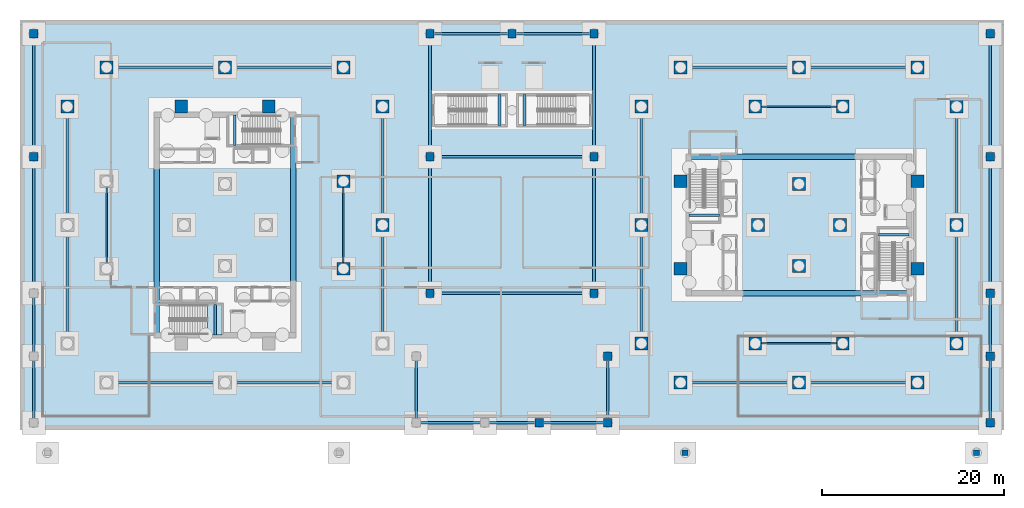
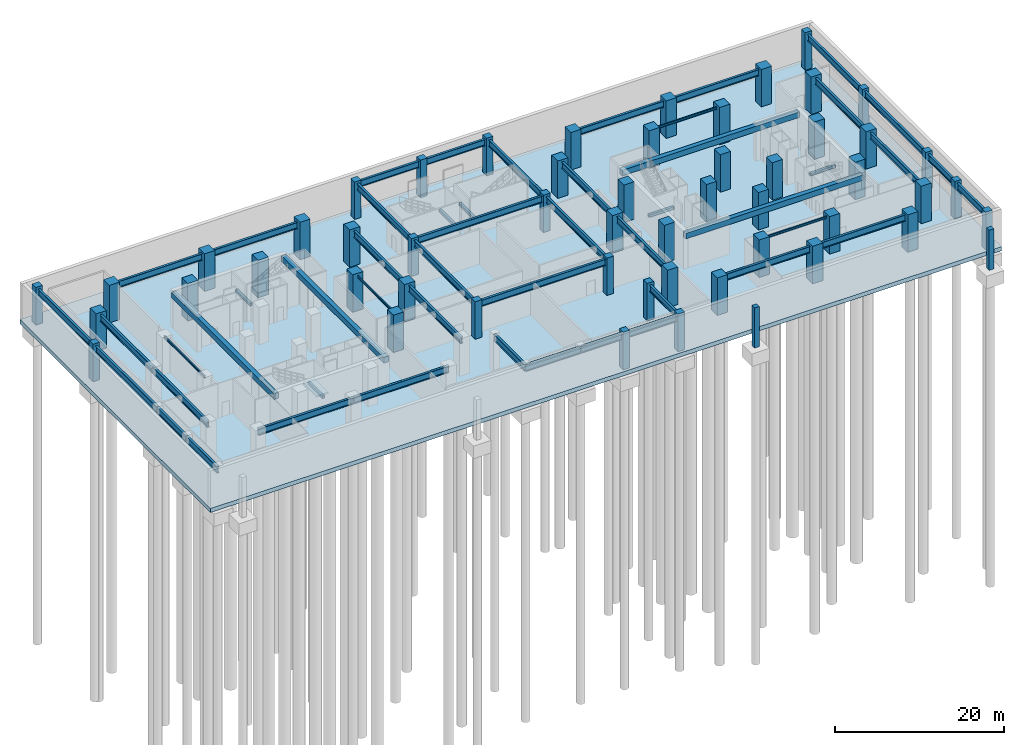
# One storey, part 2 of 14: 53 columns, 51 beams, 2 slabs, 1 element without a shape of its own.
"""IFC4 building model written with IfcOpenShell, lengths in metres."""

from ifc_helpers import new_model, si_unit, direction, frame, origin, origin_2d, place, context, subcontext, project, spatial, polyline, rectangle, i_section, outline, extrude, material, layer, layer_set, material_profile, profile_set, type_object, element, aggregate, save


model = new_model("IFC4")

# Units and contexts
model_context = context("Model", 3, precision=1e-05, world=origin(), true_north=direction((0.0, 1.0)))
body_context = subcontext(model_context, "Body", "Model", "MODEL_VIEW")
ifc_project = project(units=[si_unit("LENGTHUNIT", "METRE"), si_unit("AREAUNIT", "SQUARE_METRE"), si_unit("VOLUMEUNIT", "CUBIC_METRE"), si_unit("PLANEANGLEUNIT", "RADIAN"), si_unit("MASSUNIT", "GRAM", prefix="KILO")], contexts=[model_context])

# Site, building, storey
site_placement = place(None, origin())
site = spatial("IfcSite", under=ifc_project, at=site_placement, CompositionType="ELEMENT")
building_placement = place(site_placement, origin())
building = spatial("IfcBuilding", under=site, at=building_placement, Name="Thornwick Lancets Civic Towers", CompositionType="ELEMENT")
storey_placement = place(building_placement, frame((0.0, 0.0, -5.39990234375)))
storey = spatial("IfcBuildingStorey", under=building, at=storey_placement, Name="B01", CompositionType="ELEMENT", Elevation=-5.39990234375)

# Columns
ifc_material_1 = material(Name="Concrete C60/75", Category="concrete")
ifc_material_profile_1 = material_profile(ifc_material_1, rectangle(XDim=1.39990234375, YDim=1.39990234375, at=origin_2d()), Name="RC 1400x1400")
ifc_profile_set_1 = profile_set([ifc_material_profile_1], Name="Concrete C60/75")
column_type_1 = type_object("IfcColumnType", Name="COL_RC_1400", PredefinedType="COLUMN", material=ifc_profile_set_1)
for number, where, z_axis, x_axis, name in (
    (1, (42.800048828125, 27.0, -0.60009765625), (0.0, 0.0, 1.0), (1.0, 0.0, 0.0), "B01 Spine Mega-Column A05"),
    (2, (42.800048828125, 40.0, -0.60009765625), (0.0, 0.0, 1.0), (1.0, 0.0, 0.0), "B01 Spine Mega-Column A06"),
    (3, (12.5, 44.300048828125, -0.60009765625), (0.0, 0.0, 1.0), (1.0, 0.0, 0.0), "B01 Spine Mega-Column A07"),
    (4, (25.5, 44.300048828125, -0.60009765625), (0.0, 0.0, 1.0), (1.0, 0.0, 0.0), "B01 Spine Mega-Column A08"),
    (5, (38.5, 44.300048828125, -0.60009765625), (0.0, 0.0, 1.0), (1.0, 0.0, 0.0), "B01 Spine Mega-Column A09"),
    (6, (8.199951171875, 40.0, -0.60009765625), (0.0, 0.0, 1.0), (1.0, 0.0, 0.0), "B01 Spine Mega-Column A12"),
    (7, (38.5, 22.199951171875, -0.60009765625), (0.0, 0.0, 1.0), (1.0, 0.0, 0.0), "B01 Spine Mega-Column A14"),
    (8, (38.5, 31.800048828125, -0.60009765625), (0.0, 0.0, 1.0), (1.0, 0.0, 0.0), "B01 Spine Mega-Column A16"),
    (9, (20.699951171875, 40.0, -0.60009765625), (0.0, 0.0, 1.0), (1.0, 0.0, 0.0), "B01 Spine Mega-Column A19"),
    (10, (30.300048828125, 40.0, -0.60009765625), (0.0, 0.0, 1.0), (1.0, 0.0, 0.0), "B01 Spine Mega-Column A20"),
    (11, (105.800048828125, 14.0, -0.60009765625), (0.0, 0.0, 1.0), (1.0, 0.0, 0.0), "B01 Spine Mega-Column B01"),
    (12, (105.800048828125, 27.0, -0.60009765625), (0.0, 0.0, 1.0), (1.0, 0.0, 0.0), "B01 Spine Mega-Column B02"),
    (13, (105.800048828125, 40.0, -0.60009765625), (0.0, 0.0, 1.0), (1.0, 0.0, 0.0), "B01 Spine Mega-Column B03"),
    (14, (101.5, 44.300048828125, -0.60009765625), (0.0, 0.0, 1.0), (1.0, 0.0, 0.0), "B01 Spine Mega-Column B04"),
    (15, (88.5, 44.300048828125, -0.60009765625), (0.0, 0.0, 1.0), (1.0, 0.0, 0.0), "B01 Spine Mega-Column B05"),
    (16, (75.5, 44.300048828125, -0.60009765625), (0.0, 0.0, 1.0), (1.0, 0.0, 0.0), "B01 Spine Mega-Column B06"),
    (17, (71.199951171875, 14.0, -0.60009765625), (0.0, 0.0, 1.0), (1.0, 0.0, 0.0), "B01 Spine Mega-Column B07"),
    (18, (71.199951171875, 27.0, -0.60009765625), (0.0, 0.0, 1.0), (1.0, 0.0, 0.0), "B01 Spine Mega-Column B08"),
    (19, (71.199951171875, 40.0, -0.60009765625), (0.0, 0.0, 1.0), (1.0, 0.0, 0.0), "B01 Spine Mega-Column B09"),
    (20, (101.5, 9.699951171875, -0.60009765625), (0.0, 0.0, 1.0), (1.0, 0.0, 0.0), "B01 Spine Mega-Column B10"),
    (21, (88.5, 9.699951171875, -0.60009765625), (0.0, 0.0, 1.0), (1.0, 0.0, 0.0), "B01 Spine Mega-Column B11"),
    (22, (75.5, 9.699951171875, -0.60009765625), (0.0, 0.0, 1.0), (1.0, 0.0, 0.0), "B01 Spine Mega-Column B12"),
    (23, (93.300048828125, 14.0, -0.60009765625), (0.0, 0.0, 1.0), (1.0, 0.0, 0.0), "B01 Spine Mega-Column B13"),
    (24, (93.300048828125, 40.0, -0.60009765625), (0.0, 0.0, 1.0), (1.0, 0.0, 0.0), "B01 Spine Mega-Column B14"),
    (25, (83.699951171875, 14.0, -0.60009765625), (0.0, 0.0, 1.0), (1.0, 0.0, 0.0), "B01 Spine Mega-Column B15"),
    (26, (83.699951171875, 40.0, -0.60009765625), (0.0, 0.0, 1.0), (1.0, 0.0, 0.0), "B01 Spine Mega-Column B16"),
    (27, (101.5, 22.199951171875, -0.60009765625), (0.0, 0.0, 1.0), (1.0, 0.0, 0.0), "B01 Spine Mega-Column B17"),
    (28, (101.5, 31.800048828125, -0.60009765625), (0.0, 0.0, 1.0), (1.0, 0.0, 0.0), "B01 Spine Mega-Column B18"),
    (29, (75.5, 22.199951171875, -0.60009765625), (0.0, 0.0, 1.0), (1.0, 0.0, 0.0), "B01 Spine Mega-Column B19"),
    (30, (75.5, 31.800048828125, -0.60009765625), (0.0, 0.0, 1.0), (1.0, 0.0, 0.0), "B01 Spine Mega-Column B20"),
    (31, (93.0, 27.0, -0.60009765625), (0.0, 0.0, 1.0), (1.0, 0.0, 0.0), "B01 Spine Mega-Column B21"),
    (32, (84.0, 27.0, -0.60009765625), (0.0, 0.0, 1.0), (1.0, 0.0, 0.0), "B01 Spine Mega-Column B22"),
    (33, (88.5, 22.5, -0.60009765625), (0.0, 0.0, 1.0), (1.0, 0.0, 0.0), "B01 Spine Mega-Column B23"),
    (34, (88.5, 31.5, -0.60009765625), (0.0, 0.0, 1.0), (1.0, 0.0, 0.0), "B01 Spine Mega-Column B24"),
):
    element("IfcColumn", number, at=place(storey_placement, frame(where, z_axis=z_axis, x_axis=x_axis)), inside=storey, type_object=column_type_1, Name=name, PredefinedType="COLUMN", context=body_context, shape_type="SweptSolid", body=[
        extrude(rectangle(XDim=1.39990234375, YDim=1.39990234375, at=origin_2d()), origin(), (0.0, 0.0, 1.0), 6.0),
    ])
ifc_material_2 = material(Name="Concrete C40/50", Category="concrete")
ifc_material_profile_2 = material_profile(ifc_material_2, rectangle(XDim=0.64990234375, YDim=0.64990234375, at=origin_2d()), Name="RC 650x650")
ifc_profile_set_2 = profile_set([ifc_material_profile_2], Name="Concrete C40/50")
column_type_2 = type_object("IfcColumnType", Name="COL_RC_650", PredefinedType="COLUMN", material=ifc_profile_set_2)
for number, where, z_axis, x_axis, name in (
    (35, (76.0, 2.0, -0.60009765625), (0.0, 0.0, 1.0), (1.0, 0.0, 0.0), "B01 Plaza Grade Support Pier 03"),
    (36, (108.0, 2.0, -0.60009765625), (0.0, 0.0, 1.0), (1.0, 0.0, 0.0), "B01 Plaza Grade Support Pier 04"),
):
    element("IfcColumn", number, at=place(storey_placement, frame(where, z_axis=z_axis, x_axis=x_axis)), inside=storey, type_object=column_type_2, Name=name, PredefinedType="COLUMN", context=body_context, shape_type="SweptSolid", body=[
        extrude(rectangle(XDim=0.64990234375, YDim=0.64990234375, at=origin_2d()), origin(), (0.0, 0.0, 1.0), 5.800048828125),
    ])
ifc_material_3 = material(Name="Concrete C50/60", Category="concrete")
ifc_material_profile_3 = material_profile(ifc_material_3, rectangle(XDim=0.89990234375, YDim=0.89990234375, at=origin_2d()), Name="RC 900x900")
ifc_profile_set_3 = profile_set([ifc_material_profile_3], Name="Concrete C50/60")
column_type_3 = type_object("IfcColumnType", Name="COL_RC_900", PredefinedType="COLUMN", material=ifc_profile_set_3)
for number, where, z_axis, x_axis, name in (
    (37, (60.0, 5.300048828125, -0.60009765625), (0.0, 0.0, 1.0), (1.0, 0.0, 0.0), "B01 Podium Column P04"),
    (38, (67.5, 5.300048828125, -0.60009765625), (0.0, 0.0, 1.0), (1.0, 0.0, 0.0), "B01 Podium Column P05"),
    (39, (109.5, 5.300048828125, -0.60009765625), (0.0, 0.0, 1.0), (1.0, 0.0, 0.0), "B01 Podium Column P06"),
    (40, (67.5, 12.60009765625, -0.60009765625), (0.0, 0.0, 1.0), (1.0, 0.0, 0.0), "B01 Podium Column P09"),
    (41, (109.5, 12.60009765625, -0.60009765625), (0.0, 0.0, 1.0), (1.0, 0.0, 0.0), "B01 Podium Column P10"),
    (42, (4.5, 34.5, -0.60009765625), (0.0, 0.0, 1.0), (1.0, 0.0, 0.0), "B01 Podium Column P12"),
    (43, (4.5, 48.0, -0.60009765625), (0.0, 0.0, 1.0), (1.0, 0.0, 0.0), "B01 Podium Column P13"),
    (44, (48.0, 19.5, -0.60009765625), (0.0, 0.0, 1.0), (1.0, 0.0, 0.0), "B01 Podium Column P14"),
    (45, (66.0, 19.5, -0.60009765625), (0.0, 0.0, 1.0), (1.0, 0.0, 0.0), "B01 Podium Column P15"),
    (46, (48.0, 34.5, -0.60009765625), (0.0, 0.0, 1.0), (1.0, 0.0, 0.0), "B01 Podium Column P16"),
    (47, (66.0, 34.5, -0.60009765625), (0.0, 0.0, 1.0), (1.0, 0.0, 0.0), "B01 Podium Column P17"),
    (48, (48.0, 48.0, -0.60009765625), (0.0, 0.0, 1.0), (1.0, 0.0, 0.0), "B01 Podium Column P18"),
    (49, (57.0, 48.0, -0.60009765625), (0.0, 0.0, 1.0), (1.0, 0.0, 0.0), "B01 Podium Column P19"),
    (50, (66.0, 48.0, -0.60009765625), (0.0, 0.0, 1.0), (1.0, 0.0, 0.0), "B01 Podium Column P20"),
    (51, (109.5, 19.5, -0.60009765625), (0.0, 0.0, 1.0), (1.0, 0.0, 0.0), "B01 Podium Column P21"),
    (52, (109.5, 34.5, -0.60009765625), (0.0, 0.0, 1.0), (1.0, 0.0, 0.0), "B01 Podium Column P22"),
    (53, (109.5, 48.0, -0.60009765625), (0.0, 0.0, 1.0), (1.0, 0.0, 0.0), "B01 Podium Column P23"),
):
    element("IfcColumn", number, at=place(storey_placement, frame(where, z_axis=z_axis, x_axis=x_axis)), inside=storey, type_object=column_type_3, Name=name, PredefinedType="COLUMN", context=body_context, shape_type="SweptSolid", body=[
        extrude(rectangle(XDim=0.89990234375, YDim=0.89990234375, at=origin_2d()), origin(), (0.0, 0.0, 1.0), 6.0),
    ])

# Beams
ifc_material_profile_4 = material_profile(ifc_material_1, rectangle(XDim=0.60009765625, YDim=0.800048828125, at=origin_2d()), Name="RC 600x800")
ifc_profile_set_4 = profile_set([ifc_material_profile_4], Name="Concrete C60/75")
beam_type_1 = type_object("IfcBeamType", Name="BM_COUP_RC800", PredefinedType="BEAM", material=ifc_profile_set_4)
for number, where, z_axis, x_axis, name in (
    (54, (33.0, 14.89990234375, 4.679931640625), (0.0, 1.0, 0.0), (-1.0, 0.0, 0.0), "CB-B01-A1"),
    (55, (18.0, 14.89990234375, 4.679931640625), (0.0, 1.0, 0.0), (-1.0, 0.0, 0.0), "CB-B01-A2"),
    (56, (76.39990234375, 34.5, 4.679931640625), (1.0, 0.0, 0.0), (0.0, 1.0, 0.0), "CB-B01-B1"),
    (57, (76.39990234375, 19.5, 4.679931640625), (1.0, 0.0, 0.0), (0.0, 1.0, 0.0), "CB-B01-B2"),
):
    element("IfcBeam", number, at=place(storey_placement, frame(where, z_axis=z_axis, x_axis=x_axis)), inside=storey, type_object=beam_type_1, Name=name, PredefinedType="BEAM", context=body_context, shape_type="SweptSolid", body=[
        extrude(rectangle(XDim=0.60009765625, YDim=0.800048828125, at=origin_2d()), origin(), (0.0, 0.0, 1.0), 24.2001953125),
    ])
ifc_material_4 = material(Name="Steel S355JR", Category="steel")
ifc_material_profile_5 = material_profile(ifc_material_4, i_section(OverallWidth=0.1669921875, OverallDepth=0.310302734375, WebThickness=0.0078125, FlangeThickness=0.013671875, FilletRadius=0.0087890625, at=origin_2d()), Name="UKB 305x165x54")
ifc_profile_set_5 = profile_set([ifc_material_profile_5], Name="Steel S355JR")
beam_type_2 = type_object("IfcBeamType", Name="BM_LINTEL_305_54", PredefinedType="LINTEL", material=ifc_profile_set_5)
for number, where, z_axis, x_axis, name in (
    (58, (12.5, 22.199951171875, 4.9248046875), (0.0, 1.0, 0.0), (-1.0, 0.0, 0.0), "BM-INSP-B01-A-0-2"),
    (59, (38.5, 22.199951171875, 4.9248046875), (0.0, 1.0, 0.0), (-1.0, 0.0, 0.0), "BM-INSP-B01-A-1-3"),
    (60, (93.300048828125, 14.0, 4.9248046875), (-1.0, 0.0, 0.0), (0.0, -1.0, 0.0), "BM-INSP-B01-B-0-2"),
    (61, (93.300048828125, 40.0, 4.9248046875), (-1.0, 0.0, 0.0), (0.0, -1.0, 0.0), "BM-INSP-B01-B-1-3"),
):
    element("IfcBeam", number, at=place(storey_placement, frame(where, z_axis=z_axis, x_axis=x_axis)), inside=storey, type_object=beam_type_2, Name=name, PredefinedType="LINTEL", context=body_context, shape_type="SweptSolid", body=[
        extrude(i_section(OverallWidth=0.1669921875, OverallDepth=0.310302734375, WebThickness=0.0078125, FlangeThickness=0.013671875, FilletRadius=0.0087890625, at=origin_2d()), origin(), (0.0, 0.0, 1.0), 9.60009765625),
    ])
ifc_material_profile_6 = material_profile(ifc_material_4, i_section(OverallWidth=0.3076171875, OverallDepth=0.926513671875, WebThickness=0.01953125, FlangeThickness=0.031982421875, FilletRadius=0.01904296875, at=origin_2d()), Name="UKB 914x305x289")
ifc_profile_set_6 = profile_set([ifc_material_profile_6], Name="Steel S355JR")
beam_type_3 = type_object("IfcBeamType", Name="BM_POD_914_289", PredefinedType="BEAM", material=ifc_profile_set_6)
beam_1_placement = place(storey_placement, frame((12.5, 9.699951171875, 4.61669921875), z_axis=(1.0, 0.0, 0.0), x_axis=(0.0, 1.0, 0.0)))
element("IfcBeam", 62, at=beam_1_placement, inside=storey, type_object=beam_type_3, Name="BM-SPINE-B01-A-0-1", PredefinedType="BEAM", context=body_context, shape_type="SweptSolid", body=[
    extrude(i_section(OverallWidth=0.3076171875, OverallDepth=0.926513671875, WebThickness=0.01953125, FlangeThickness=0.031982421875, FilletRadius=0.01904296875, at=origin_2d()), origin(), (0.0, 0.0, 1.0), 13.0),
])
beam_2_placement = place(storey_placement, frame((25.580078125, 9.699951171875, 4.61669921875), z_axis=(1.0, 0.0, 0.0), x_axis=(0.0, 1.0, 0.0)))
element("IfcBeam", 63, at=beam_2_placement, inside=storey, type_object=beam_type_3, Name="BM-SPINE-B01-A-1-2", PredefinedType="BEAM", context=body_context, shape_type="SweptSolid", body=[
    extrude(i_section(OverallWidth=0.3076171875, OverallDepth=0.926513671875, WebThickness=0.01953125, FlangeThickness=0.031982421875, FilletRadius=0.01904296875, at=origin_2d()), origin(), (0.0, 0.0, 1.0), 12.919921875),
])
beam_3_placement = place(storey_placement, frame((42.800048828125, 14.0, 4.61669921875), z_axis=(0.0, 1.0, 0.0), x_axis=(-1.0, 0.0, 0.0)))
element("IfcBeam", 64, at=beam_3_placement, inside=storey, type_object=beam_type_3, Name="BM-SPINE-B01-A-3-4", PredefinedType="BEAM", context=body_context, shape_type="SweptSolid", body=[
    extrude(i_section(OverallWidth=0.3076171875, OverallDepth=0.926513671875, WebThickness=0.01953125, FlangeThickness=0.031982421875, FilletRadius=0.01904296875, at=origin_2d()), origin(), (0.0, 0.0, 1.0), 13.0),
])
beam_4_placement = place(storey_placement, frame((42.800048828125, 27.080078125, 4.61669921875), z_axis=(0.0, 1.0, 0.0), x_axis=(-1.0, 0.0, 0.0)))
element("IfcBeam", 65, at=beam_4_placement, inside=storey, type_object=beam_type_3, Name="BM-SPINE-B01-A-4-5", PredefinedType="BEAM", context=body_context, shape_type="SweptSolid", body=[
    extrude(i_section(OverallWidth=0.3076171875, OverallDepth=0.926513671875, WebThickness=0.01953125, FlangeThickness=0.031982421875, FilletRadius=0.01904296875, at=origin_2d()), origin(), (0.0, 0.0, 1.0), 12.919921875),
])
beam_5_placement = place(storey_placement, frame((12.5, 44.300048828125, 4.61669921875), z_axis=(1.0, 0.0, 0.0), x_axis=(0.0, 1.0, 0.0)))
element("IfcBeam", 66, at=beam_5_placement, inside=storey, type_object=beam_type_3, Name="BM-SPINE-B01-A-6-7", PredefinedType="BEAM", context=body_context, shape_type="SweptSolid", body=[
    extrude(i_section(OverallWidth=0.3076171875, OverallDepth=0.926513671875, WebThickness=0.01953125, FlangeThickness=0.031982421875, FilletRadius=0.01904296875, at=origin_2d()), origin(), (0.0, 0.0, 1.0), 13.0),
])
beam_6_placement = place(storey_placement, frame((25.580078125, 44.300048828125, 4.61669921875), z_axis=(1.0, 0.0, 0.0), x_axis=(0.0, 1.0, 0.0)))
element("IfcBeam", 67, at=beam_6_placement, inside=storey, type_object=beam_type_3, Name="BM-SPINE-B01-A-7-8", PredefinedType="BEAM", context=body_context, shape_type="SweptSolid", body=[
    extrude(i_section(OverallWidth=0.3076171875, OverallDepth=0.926513671875, WebThickness=0.01953125, FlangeThickness=0.031982421875, FilletRadius=0.01904296875, at=origin_2d()), origin(), (0.0, 0.0, 1.0), 12.919921875),
])
beam_7_placement = place(storey_placement, frame((8.199951171875, 14.0, 4.61669921875), z_axis=(0.0, 1.0, 0.0), x_axis=(-1.0, 0.0, 0.0)))
element("IfcBeam", 68, at=beam_7_placement, inside=storey, type_object=beam_type_3, Name="BM-SPINE-B01-A-9-10", PredefinedType="BEAM", context=body_context, shape_type="SweptSolid", body=[
    extrude(i_section(OverallWidth=0.3076171875, OverallDepth=0.926513671875, WebThickness=0.01953125, FlangeThickness=0.031982421875, FilletRadius=0.01904296875, at=origin_2d()), origin(), (0.0, 0.0, 1.0), 13.0),
])
beam_8_placement = place(storey_placement, frame((8.199951171875, 27.080078125, 4.61669921875), z_axis=(0.0, 1.0, 0.0), x_axis=(-1.0, 0.0, 0.0)))
element("IfcBeam", 69, at=beam_8_placement, inside=storey, type_object=beam_type_3, Name="BM-SPINE-B01-A-10-11", PredefinedType="BEAM", context=body_context, shape_type="SweptSolid", body=[
    extrude(i_section(OverallWidth=0.3076171875, OverallDepth=0.926513671875, WebThickness=0.01953125, FlangeThickness=0.031982421875, FilletRadius=0.01904296875, at=origin_2d()), origin(), (0.0, 0.0, 1.0), 12.919921875),
])
beam_9_placement = place(storey_placement, frame((105.800048828125, 14.0, 4.61669921875), z_axis=(0.0, 1.0, 0.0), x_axis=(-1.0, 0.0, 0.0)))
element("IfcBeam", 70, at=beam_9_placement, inside=storey, type_object=beam_type_3, Name="BM-SPINE-B01-B-0-1", PredefinedType="BEAM", context=body_context, shape_type="SweptSolid", body=[
    extrude(i_section(OverallWidth=0.3076171875, OverallDepth=0.926513671875, WebThickness=0.01953125, FlangeThickness=0.031982421875, FilletRadius=0.01904296875, at=origin_2d()), origin(), (0.0, 0.0, 1.0), 13.0),
])
beam_10_placement = place(storey_placement, frame((105.800048828125, 27.080078125, 4.61669921875), z_axis=(0.0, 1.0, 0.0), x_axis=(-1.0, 0.0, 0.0)))
element("IfcBeam", 71, at=beam_10_placement, inside=storey, type_object=beam_type_3, Name="BM-SPINE-B01-B-1-2", PredefinedType="BEAM", context=body_context, shape_type="SweptSolid", body=[
    extrude(i_section(OverallWidth=0.3076171875, OverallDepth=0.926513671875, WebThickness=0.01953125, FlangeThickness=0.031982421875, FilletRadius=0.01904296875, at=origin_2d()), origin(), (0.0, 0.0, 1.0), 12.919921875),
])
beam_11_placement = place(storey_placement, frame((101.5, 44.300048828125, 4.61669921875), z_axis=(-1.0, 0.0, 0.0), x_axis=(0.0, -1.0, 0.0)))
element("IfcBeam", 72, at=beam_11_placement, inside=storey, type_object=beam_type_3, Name="BM-SPINE-B01-B-3-4", PredefinedType="BEAM", context=body_context, shape_type="SweptSolid", body=[
    extrude(i_section(OverallWidth=0.3076171875, OverallDepth=0.926513671875, WebThickness=0.01953125, FlangeThickness=0.031982421875, FilletRadius=0.01904296875, at=origin_2d()), origin(), (0.0, 0.0, 1.0), 13.0),
])
beam_12_placement = place(storey_placement, frame((88.419921875, 44.300048828125, 4.61669921875), z_axis=(-1.0, 0.0, 0.0), x_axis=(0.0, -1.0, 0.0)))
element("IfcBeam", 73, at=beam_12_placement, inside=storey, type_object=beam_type_3, Name="BM-SPINE-B01-B-4-5", PredefinedType="BEAM", context=body_context, shape_type="SweptSolid", body=[
    extrude(i_section(OverallWidth=0.3076171875, OverallDepth=0.926513671875, WebThickness=0.01953125, FlangeThickness=0.031982421875, FilletRadius=0.01904296875, at=origin_2d()), origin(), (0.0, 0.0, 1.0), 12.919921875),
])
beam_13_placement = place(storey_placement, frame((71.199951171875, 14.0, 4.61669921875), z_axis=(0.0, 1.0, 0.0), x_axis=(-1.0, 0.0, 0.0)))
element("IfcBeam", 74, at=beam_13_placement, inside=storey, type_object=beam_type_3, Name="BM-SPINE-B01-B-6-7", PredefinedType="BEAM", context=body_context, shape_type="SweptSolid", body=[
    extrude(i_section(OverallWidth=0.3076171875, OverallDepth=0.926513671875, WebThickness=0.01953125, FlangeThickness=0.031982421875, FilletRadius=0.01904296875, at=origin_2d()), origin(), (0.0, 0.0, 1.0), 13.0),
])
beam_14_placement = place(storey_placement, frame((71.199951171875, 27.080078125, 4.61669921875), z_axis=(0.0, 1.0, 0.0), x_axis=(-1.0, 0.0, 0.0)))
element("IfcBeam", 75, at=beam_14_placement, inside=storey, type_object=beam_type_3, Name="BM-SPINE-B01-B-7-8", PredefinedType="BEAM", context=body_context, shape_type="SweptSolid", body=[
    extrude(i_section(OverallWidth=0.3076171875, OverallDepth=0.926513671875, WebThickness=0.01953125, FlangeThickness=0.031982421875, FilletRadius=0.01904296875, at=origin_2d()), origin(), (0.0, 0.0, 1.0), 12.919921875),
])
beam_15_placement = place(storey_placement, frame((101.5, 9.699951171875, 4.61669921875), z_axis=(-1.0, 0.0, 0.0), x_axis=(0.0, -1.0, 0.0)))
element("IfcBeam", 76, at=beam_15_placement, inside=storey, type_object=beam_type_3, Name="BM-SPINE-B01-B-9-10", PredefinedType="BEAM", context=body_context, shape_type="SweptSolid", body=[
    extrude(i_section(OverallWidth=0.3076171875, OverallDepth=0.926513671875, WebThickness=0.01953125, FlangeThickness=0.031982421875, FilletRadius=0.01904296875, at=origin_2d()), origin(), (0.0, 0.0, 1.0), 13.0),
])
beam_16_placement = place(storey_placement, frame((88.419921875, 9.699951171875, 4.61669921875), z_axis=(-1.0, 0.0, 0.0), x_axis=(0.0, -1.0, 0.0)))
element("IfcBeam", 77, at=beam_16_placement, inside=storey, type_object=beam_type_3, Name="BM-SPINE-B01-B-10-11", PredefinedType="BEAM", context=body_context, shape_type="SweptSolid", body=[
    extrude(i_section(OverallWidth=0.3076171875, OverallDepth=0.926513671875, WebThickness=0.01953125, FlangeThickness=0.031982421875, FilletRadius=0.01904296875, at=origin_2d()), origin(), (0.0, 0.0, 1.0), 12.919921875),
])
beam_17_placement = place(storey_placement, frame((4.5, 5.300048828125, 4.61669921875), z_axis=(0.0, 1.0, 0.0), x_axis=(-1.0, 0.0, 0.0)))
element("IfcBeam", 78, at=beam_17_placement, inside=storey, type_object=beam_type_3, Name="BM-PODG-B01-0-6", PredefinedType="BEAM", context=body_context, shape_type="SweptSolid", body=[
    extrude(i_section(OverallWidth=0.3076171875, OverallDepth=0.926513671875, WebThickness=0.01953125, FlangeThickness=0.031982421875, FilletRadius=0.01904296875, at=origin_2d()), origin(), (0.0, 0.0, 1.0), 7.300048828125),
])
beam_18_placement = place(storey_placement, frame((46.5, 5.300048828125, 4.61669921875), z_axis=(1.0, 0.0, 0.0), x_axis=(0.0, 1.0, 0.0)))
element("IfcBeam", 79, at=beam_18_placement, inside=storey, type_object=beam_type_3, Name="BM-PODG-B01-1-2", PredefinedType="BEAM", context=body_context, shape_type="SweptSolid", body=[
    extrude(i_section(OverallWidth=0.3076171875, OverallDepth=0.926513671875, WebThickness=0.01953125, FlangeThickness=0.031982421875, FilletRadius=0.01904296875, at=origin_2d()), origin(), (0.0, 0.0, 1.0), 7.5),
])
beam_19_placement = place(storey_placement, frame((46.5, 5.300048828125, 4.61669921875), z_axis=(0.0, 1.0, 0.0), x_axis=(-1.0, 0.0, 0.0)))
element("IfcBeam", 80, at=beam_19_placement, inside=storey, type_object=beam_type_3, Name="BM-PODG-B01-1-7", PredefinedType="BEAM", context=body_context, shape_type="SweptSolid", body=[
    extrude(i_section(OverallWidth=0.3076171875, OverallDepth=0.926513671875, WebThickness=0.01953125, FlangeThickness=0.031982421875, FilletRadius=0.01904296875, at=origin_2d()), origin(), (0.0, 0.0, 1.0), 7.300048828125),
])
beam_20_placement = place(storey_placement, frame((54.080078125, 5.300048828125, 4.61669921875), z_axis=(1.0, 0.0, 0.0), x_axis=(0.0, 1.0, 0.0)))
element("IfcBeam", 81, at=beam_20_placement, inside=storey, type_object=beam_type_3, Name="BM-PODG-B01-2-3", PredefinedType="BEAM", context=body_context, shape_type="SweptSolid", body=[
    extrude(i_section(OverallWidth=0.3076171875, OverallDepth=0.926513671875, WebThickness=0.01953125, FlangeThickness=0.031982421875, FilletRadius=0.01904296875, at=origin_2d()), origin(), (0.0, 0.0, 1.0), 5.919921875),
])
beam_21_placement = place(storey_placement, frame((60.080078125, 5.300048828125, 4.61669921875), z_axis=(1.0, 0.0, 0.0), x_axis=(0.0, 1.0, 0.0)))
element("IfcBeam", 82, at=beam_21_placement, inside=storey, type_object=beam_type_3, Name="BM-PODG-B01-3-4", PredefinedType="BEAM", context=body_context, shape_type="SweptSolid", body=[
    extrude(i_section(OverallWidth=0.3076171875, OverallDepth=0.926513671875, WebThickness=0.01953125, FlangeThickness=0.031982421875, FilletRadius=0.01904296875, at=origin_2d()), origin(), (0.0, 0.0, 1.0), 7.419921875),
])
for number, where, z_axis, x_axis, name in (
    (83, (67.5, 5.300048828125, 4.61669921875), (0.0, 1.0, 0.0), (-1.0, 0.0, 0.0), "BM-PODG-B01-4-8"),
    (84, (109.5, 5.300048828125, 4.61669921875), (0.0, 1.0, 0.0), (-1.0, 0.0, 0.0), "BM-PODG-B01-5-9"),
):
    element("IfcBeam", number, at=place(storey_placement, frame(where, z_axis=z_axis, x_axis=x_axis)), inside=storey, type_object=beam_type_3, Name=name, PredefinedType="BEAM", context=body_context, shape_type="SweptSolid", body=[
        extrude(i_section(OverallWidth=0.3076171875, OverallDepth=0.926513671875, WebThickness=0.01953125, FlangeThickness=0.031982421875, FilletRadius=0.01904296875, at=origin_2d()), origin(), (0.0, 0.0, 1.0), 7.300048828125),
    ])
for number, where, z_axis, x_axis, name in (
    (85, (4.5, 12.679931640625, 4.61669921875), (0.0, 1.0, 0.0), (-1.0, 0.0, 0.0), "BM-PODG-B01-6-10"),
    (86, (109.5, 12.679931640625, 4.61669921875), (0.0, 1.0, 0.0), (-1.0, 0.0, 0.0), "BM-PODG-B01-9-20"),
):
    element("IfcBeam", number, at=place(storey_placement, frame(where, z_axis=z_axis, x_axis=x_axis)), inside=storey, type_object=beam_type_3, Name=name, PredefinedType="BEAM", context=body_context, shape_type="SweptSolid", body=[
        extrude(i_section(OverallWidth=0.3076171875, OverallDepth=0.926513671875, WebThickness=0.01953125, FlangeThickness=0.031982421875, FilletRadius=0.01904296875, at=origin_2d()), origin(), (0.0, 0.0, 1.0), 6.820068359375),
    ])
beam_22_placement = place(storey_placement, frame((4.5, 19.580078125, 4.61669921875), z_axis=(0.0, 1.0, 0.0), x_axis=(-1.0, 0.0, 0.0)))
element("IfcBeam", 87, at=beam_22_placement, inside=storey, type_object=beam_type_3, Name="BM-PODG-B01-10-11", PredefinedType="BEAM", context=body_context, shape_type="SweptSolid", body=[
    extrude(i_section(OverallWidth=0.3076171875, OverallDepth=0.926513671875, WebThickness=0.01953125, FlangeThickness=0.031982421875, FilletRadius=0.01904296875, at=origin_2d()), origin(), (0.0, 0.0, 1.0), 14.919921875),
])
beam_23_placement = place(storey_placement, frame((4.5, 34.580078125, 4.61669921875), z_axis=(0.0, 1.0, 0.0), x_axis=(-1.0, 0.0, 0.0)))
element("IfcBeam", 88, at=beam_23_placement, inside=storey, type_object=beam_type_3, Name="BM-PODG-B01-11-12", PredefinedType="BEAM", context=body_context, shape_type="SweptSolid", body=[
    extrude(i_section(OverallWidth=0.3076171875, OverallDepth=0.926513671875, WebThickness=0.01953125, FlangeThickness=0.031982421875, FilletRadius=0.01904296875, at=origin_2d()), origin(), (0.0, 0.0, 1.0), 13.419921875),
])
beam_24_placement = place(storey_placement, frame((48.0, 19.5, 4.61669921875), z_axis=(1.0, 0.0, 0.0), x_axis=(0.0, 1.0, 0.0)))
element("IfcBeam", 89, at=beam_24_placement, inside=storey, type_object=beam_type_3, Name="BM-PODG-B01-13-14", PredefinedType="BEAM", context=body_context, shape_type="SweptSolid", body=[
    extrude(i_section(OverallWidth=0.3076171875, OverallDepth=0.926513671875, WebThickness=0.01953125, FlangeThickness=0.031982421875, FilletRadius=0.01904296875, at=origin_2d()), origin(), (0.0, 0.0, 1.0), 18.0),
])
for number, where, z_axis, x_axis, name in (
    (90, (48.0, 19.5, 4.61669921875), (0.0, 1.0, 0.0), (-1.0, 0.0, 0.0), "BM-PODG-B01-13-15"),
    (91, (66.0, 19.5, 4.61669921875), (0.0, 1.0, 0.0), (-1.0, 0.0, 0.0), "BM-PODG-B01-14-16"),
):
    element("IfcBeam", number, at=place(storey_placement, frame(where, z_axis=z_axis, x_axis=x_axis)), inside=storey, type_object=beam_type_3, Name=name, PredefinedType="BEAM", context=body_context, shape_type="SweptSolid", body=[
        extrude(i_section(OverallWidth=0.3076171875, OverallDepth=0.926513671875, WebThickness=0.01953125, FlangeThickness=0.031982421875, FilletRadius=0.01904296875, at=origin_2d()), origin(), (0.0, 0.0, 1.0), 15.0),
    ])
beam_25_placement = place(storey_placement, frame((48.0, 34.5, 4.61669921875), z_axis=(1.0, 0.0, 0.0), x_axis=(0.0, 1.0, 0.0)))
element("IfcBeam", 92, at=beam_25_placement, inside=storey, type_object=beam_type_3, Name="BM-PODG-B01-15-16", PredefinedType="BEAM", context=body_context, shape_type="SweptSolid", body=[
    extrude(i_section(OverallWidth=0.3076171875, OverallDepth=0.926513671875, WebThickness=0.01953125, FlangeThickness=0.031982421875, FilletRadius=0.01904296875, at=origin_2d()), origin(), (0.0, 0.0, 1.0), 18.0),
])
for number, where, z_axis, x_axis, name in (
    (93, (48.0, 34.580078125, 4.61669921875), (0.0, 1.0, 0.0), (-1.0, 0.0, 0.0), "BM-PODG-B01-15-17"),
    (94, (66.0, 34.580078125, 4.61669921875), (0.0, 1.0, 0.0), (-1.0, 0.0, 0.0), "BM-PODG-B01-16-19"),
):
    element("IfcBeam", number, at=place(storey_placement, frame(where, z_axis=z_axis, x_axis=x_axis)), inside=storey, type_object=beam_type_3, Name=name, PredefinedType="BEAM", context=body_context, shape_type="SweptSolid", body=[
        extrude(i_section(OverallWidth=0.3076171875, OverallDepth=0.926513671875, WebThickness=0.01953125, FlangeThickness=0.031982421875, FilletRadius=0.01904296875, at=origin_2d()), origin(), (0.0, 0.0, 1.0), 13.419921875),
    ])
beam_26_placement = place(storey_placement, frame((48.0, 48.0, 4.61669921875), z_axis=(1.0, 0.0, 0.0), x_axis=(0.0, 1.0, 0.0)))
element("IfcBeam", 95, at=beam_26_placement, inside=storey, type_object=beam_type_3, Name="BM-PODG-B01-17-18", PredefinedType="BEAM", context=body_context, shape_type="SweptSolid", body=[
    extrude(i_section(OverallWidth=0.3076171875, OverallDepth=0.926513671875, WebThickness=0.01953125, FlangeThickness=0.031982421875, FilletRadius=0.01904296875, at=origin_2d()), origin(), (0.0, 0.0, 1.0), 9.0),
])
beam_27_placement = place(storey_placement, frame((57.080078125, 48.0, 4.61669921875), z_axis=(1.0, 0.0, 0.0), x_axis=(0.0, 1.0, 0.0)))
element("IfcBeam", 96, at=beam_27_placement, inside=storey, type_object=beam_type_3, Name="BM-PODG-B01-18-19", PredefinedType="BEAM", context=body_context, shape_type="SweptSolid", body=[
    extrude(i_section(OverallWidth=0.3076171875, OverallDepth=0.926513671875, WebThickness=0.01953125, FlangeThickness=0.031982421875, FilletRadius=0.01904296875, at=origin_2d()), origin(), (0.0, 0.0, 1.0), 8.919921875),
])
beam_28_placement = place(storey_placement, frame((109.5, 19.580078125, 4.61669921875), z_axis=(0.0, 1.0, 0.0), x_axis=(-1.0, 0.0, 0.0)))
element("IfcBeam", 97, at=beam_28_placement, inside=storey, type_object=beam_type_3, Name="BM-PODG-B01-20-21", PredefinedType="BEAM", context=body_context, shape_type="SweptSolid", body=[
    extrude(i_section(OverallWidth=0.3076171875, OverallDepth=0.926513671875, WebThickness=0.01953125, FlangeThickness=0.031982421875, FilletRadius=0.01904296875, at=origin_2d()), origin(), (0.0, 0.0, 1.0), 14.919921875),
])
beam_29_placement = place(storey_placement, frame((109.5, 34.580078125, 4.61669921875), z_axis=(0.0, 1.0, 0.0), x_axis=(-1.0, 0.0, 0.0)))
element("IfcBeam", 98, at=beam_29_placement, inside=storey, type_object=beam_type_3, Name="BM-PODG-B01-21-22", PredefinedType="BEAM", context=body_context, shape_type="SweptSolid", body=[
    extrude(i_section(OverallWidth=0.3076171875, OverallDepth=0.926513671875, WebThickness=0.01953125, FlangeThickness=0.031982421875, FilletRadius=0.01904296875, at=origin_2d()), origin(), (0.0, 0.0, 1.0), 13.419921875),
])
ifc_material_profile_7 = material_profile(ifc_material_2, rectangle(XDim=0.300048828125, YDim=0.35009765625, at=origin_2d()), Name="RC 300x350")
ifc_profile_set_7 = profile_set([ifc_material_profile_7], Name="Concrete C40/50")
beam_type_4 = type_object("IfcBeamType", Name="BM_STAIR_LDG", PredefinedType="BEAM", material=ifc_profile_set_7)
for number, where, z_axis, x_axis, name in (
    (99, (24.43505859375, 14.89990234375, 2.27783203125), (0.0, 1.0, 0.0), (-1.0, 0.0, 0.0), "B01 ST-A1 Landing Support Beam 1"),
    (100, (26.56494140625, 39.10009765625, 2.27783203125), (0.0, -1.0, 0.0), (1.0, 0.0, 0.0), "B01 ST-A2 Landing Support Beam 1"),
    (101, (100.60009765625, 25.93505859375, 2.27783203125), (-1.0, 0.0, 0.0), (0.0, -1.0, 0.0), "B01 ST-B1 Landing Support Beam 1"),
    (102, (76.39990234375, 28.06494140625, 2.27783203125), (1.0, 0.0, 0.0), (0.0, 1.0, 0.0), "B01 ST-B2 Landing Support Beam 1"),
    (103, (55.635009765625, 37.89990234375, 2.27783203125), (0.0, 1.0, 0.0), (-1.0, 0.0, 0.0), "B01 ST-P5 Landing Support Beam 1"),
    (104, (58.364990234375, 41.300048828125, 2.27783203125), (0.0, -1.0, 0.0), (1.0, 0.0, 0.0), "B01 ST-P6 Landing Support Beam 1"),
):
    element("IfcBeam", number, at=place(storey_placement, frame(where, z_axis=z_axis, x_axis=x_axis)), inside=storey, type_object=beam_type_4, Name=name, PredefinedType="BEAM", context=body_context, shape_type="SweptSolid", body=[
        extrude(rectangle(XDim=0.300048828125, YDim=0.35009765625, at=origin_2d()), origin(), (0.0, 0.0, 1.0), 3.400146484375),
    ])

# Slab
ifc_layer_1 = layer(ifc_material_2, 0.60009765625, Name="Concrete C40/50")
ifc_layer_set_1 = layer_set([ifc_layer_1], Name="Concrete C40/50")
slab_type_1 = type_object("IfcSlabType", Name="SLAB_BASE_600", PredefinedType="BASESLAB", material=ifc_layer_set_1)
slab_1_placement = place(storey_placement, frame((0.0, 0.0, -0.60009765625)))
element("IfcSlab", 105, at=slab_1_placement, inside=storey, type_object=slab_type_1, Name="B01 Basement Structural Base Slab", PredefinedType="BASESLAB", context=body_context, shape_type="SweptSolid", body=[
    extrude(outline(polyline([(3.0, 4.5), (111.0, 4.5), (111.0, 49.5), (3.0, 49.5), (3.0, 4.5)])), origin(), (0.0, 0.0, 1.0), 0.60009765625),
])

# Stair, slab
stair_type = type_object("IfcStairType", Name="STAIR_DL_5400", PredefinedType="HALF_TURN_STAIR", material=ifc_material_2)
stair_placement = place(storey_placement, origin())
stair = element("IfcStair", 106, at=stair_placement, inside=storey, type_object=stair_type, Name="B01 Tower A South Exit Stair ST-A1", PredefinedType="HALF_TURN_STAIR")
ifc_layer_2 = layer(ifc_material_2, 0.25, Name="Concrete C40/50")
ifc_layer_set_2 = layer_set([ifc_layer_2], Name="Concrete C40/50")
slab_type_2 = type_object("IfcSlabType", Name="SLAB_LANDING_200", PredefinedType="LANDING", material=ifc_layer_set_2)
slab_2_placement = place(storey_placement, frame((0.0, 0.0, 2.5029296875)))
slab_2 = element("IfcSlab", 107, at=slab_2_placement, type_object=slab_type_2, Name="ST-A1 landing 1", PredefinedType="LANDING", context=body_context, shape_type="SweptSolid", body=[
    extrude(outline(polyline([(23.570068359375, 14.93994140625), (25.14990234375, 14.93994140625), (25.14990234375, 18.260009765625), (23.570068359375, 18.260009765625), (23.570068359375, 14.93994140625)])), origin(), (0.0, 0.0, 1.0), 0.199951171875),
])
aggregate(stair, [slab_2])

save(model, "model.ifc")
